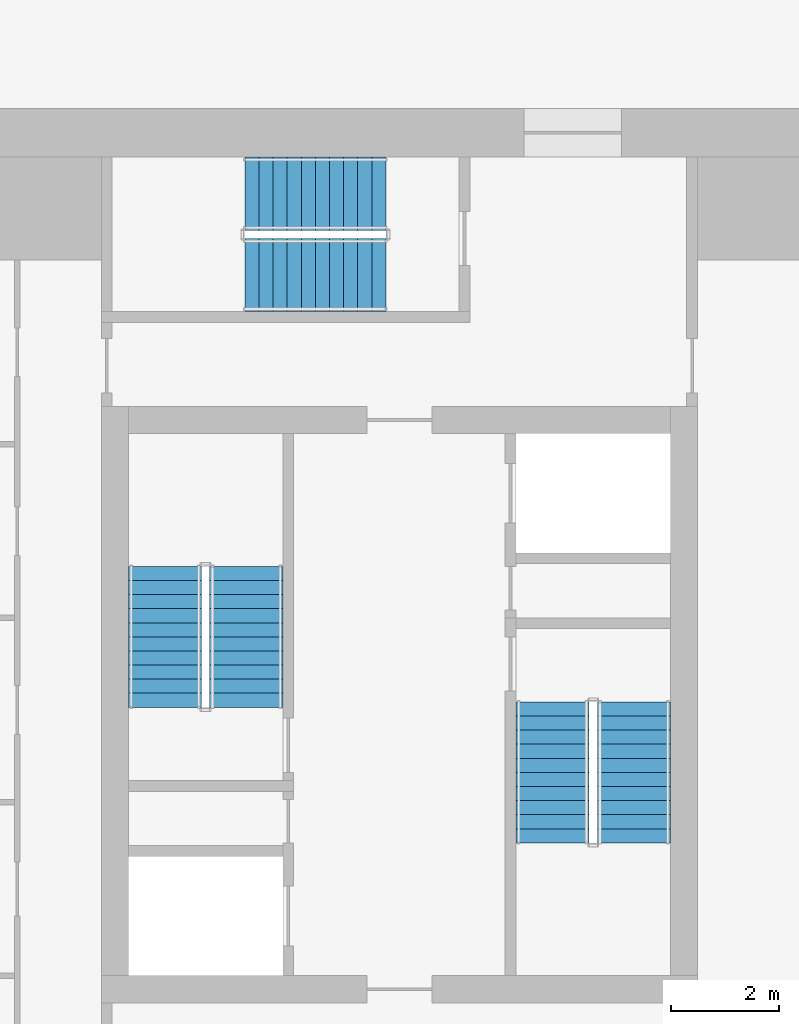
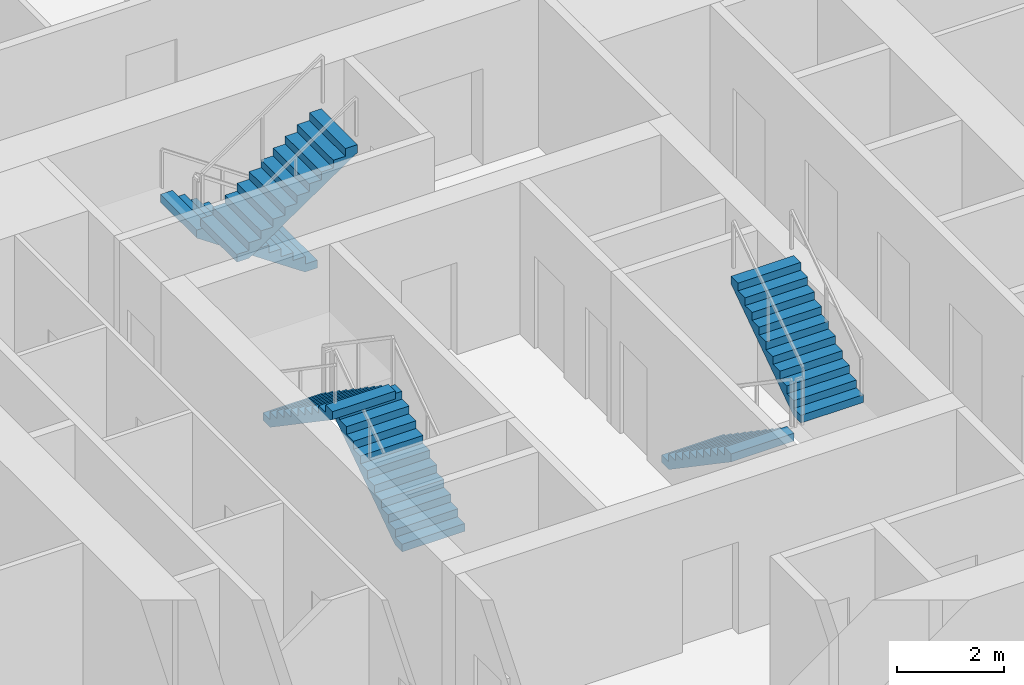
# One storey, part 10 of 15: 6 stair flights, 3 elements without a shape of their own.
"""IFC4 building model written with IfcOpenShell, lengths in metres."""

import ifcopenshell
import ifcopenshell.guid

model = None  # the IFC model being written
_history = None  # IfcOwnerHistory: only IFC2X3 demands one
_inside = {}  # id of a spatial element -> (the spatial element, [elements in it])
_under = {}  # id of a project, library or spatial element -> (it, [spatial elements below it])
_declared = {}  # id of a project -> (the project, [libraries it declares])
_typed = {}  # id of a type object -> (the type object, [elements of that type])
_made_of = {}  # id of a material, layer set ... -> (it, [elements and type objects made of it])


def new_model(schema):
    """Start an empty IFC model of exactly this schema.

    Asked for "IFC4X3", IfcOpenShell would pick the latest addendum, in which some entities
    have other attributes; the version numbers below select the first issue.
    IFC2X3 requires an IfcOwnerHistory on every rooted entity: one is made here for all.
    """
    global model, _history
    if schema == "IFC4X3":
        model = ifcopenshell.file(schema_version=(4, 3, 0, 0))
    else:
        model = ifcopenshell.file(schema=schema)
    _inside.clear()
    _under.clear()
    _declared.clear()
    _typed.clear()
    _made_of.clear()
    _history = None
    if model.schema == "IFC2X3":
        org = make("IfcOrganization", Name="unknown")
        user = make(
            "IfcPersonAndOrganization",
            ThePerson=make("IfcPerson", FamilyName="unknown"),
            TheOrganization=org,
        )
        app = make(
            "IfcApplication",
            ApplicationDeveloper=org,
            Version="unknown",
            ApplicationFullName="unknown",
            ApplicationIdentifier="unknown",
        )
        _history = make(
            "IfcOwnerHistory",
            OwningUser=user,
            OwningApplication=app,
            ChangeAction="ADDED",
            CreationDate=0,
        )
    return model


def make(cls, **values):
    """One entity of the class cls with the attributes given. An attribute that is None is left unset."""
    return model.create_entity(
        cls, **{name: value for name, value in values.items() if value is not None}
    )


def rooted(cls, **values):
    """An entity with a GlobalId (a new one), such as an element, a storey or a relation."""
    return make(cls, GlobalId=ifcopenshell.guid.new(), OwnerHistory=_history, **values)


def si_unit(unit_type, name, prefix=None):
    """IfcSIUnit, for example si_unit("LENGTHUNIT", "METRE", prefix="MILLI")."""
    return make("IfcSIUnit", UnitType=unit_type, Prefix=prefix, Name=name)


def assignment(units):
    """IfcUnitAssignment: the units of a project."""
    return None if units is None else make("IfcUnitAssignment", Units=units)


def point(xyz):
    """IfcCartesianPoint."""
    return None if xyz is None else make("IfcCartesianPoint", Coordinates=xyz)


def direction(xyz):
    """IfcDirection."""
    return None if xyz is None else make("IfcDirection", DirectionRatios=xyz)


def frame(location, z_axis=None, x_axis=None):
    """IfcAxis2Placement3D, a coordinate frame: its origin and axes. An axis left out is left unset."""
    return make(
        "IfcAxis2Placement3D",
        Location=point(location),
        Axis=direction(z_axis),
        RefDirection=direction(x_axis),
    )


def origin():
    """The frame at (0, 0, 0) with its axes left unset."""
    return frame((0.0, 0.0, 0.0))


def place(relative_to, where):
    """IfcLocalPlacement: puts the frame where relative to a parent placement (None: the world)."""
    return make(
        "IfcLocalPlacement", PlacementRelTo=relative_to, RelativePlacement=where
    )


def context(
    kind, dimensions, precision=None, world=None, true_north=None, identifier=None
):
    """IfcGeometricRepresentationContext, for example the 3D "Model" context."""
    return make(
        "IfcGeometricRepresentationContext",
        ContextIdentifier=identifier,
        ContextType=kind,
        CoordinateSpaceDimension=dimensions,
        Precision=precision,
        WorldCoordinateSystem=world,
        TrueNorth=true_north,
    )


def subcontext(parent, identifier, kind, view, scale=None):
    """IfcGeometricRepresentationSubContext, for example "Body" below "Model"."""
    return make(
        "IfcGeometricRepresentationSubContext",
        ContextIdentifier=identifier,
        ContextType=kind,
        ParentContext=parent,
        TargetScale=scale,
        TargetView=view,
    )


def project(units=None, contexts=None):
    """IfcProject with its units and contexts."""
    return rooted(
        "IfcProject",
        Name="project",
        RepresentationContexts=contexts,
        UnitsInContext=assignment(units),
    )


def spatial(cls, under=None, at=None, **own):
    """A site, building, storey or space (cls), placed at a placement, below another one or the project."""
    s = rooted(cls, ObjectPlacement=at, **own)
    if under is not None:
        _under.setdefault(under.id(), (under, []))[1].append(s)
    return s


def polyline(points):
    """IfcPolyline through the points."""
    return make("IfcPolyline", Points=[point(p) for p in points])


def outline(outer, holes=None, kind="AREA"):
    """IfcArbitraryClosedProfileDef: a profile drawn as a closed curve; with holes, ...WithVoids."""
    if holes is None:
        return make("IfcArbitraryClosedProfileDef", ProfileType=kind, OuterCurve=outer)
    return make(
        "IfcArbitraryProfileDefWithVoids",
        ProfileType=kind,
        OuterCurve=outer,
        InnerCurves=holes,
    )


def extrude(swept, where, along, depth):
    """IfcExtrudedAreaSolid: the profile swept, set in the frame where, extruded along a direction by depth."""
    return make(
        "IfcExtrudedAreaSolid",
        SweptArea=swept,
        Position=where,
        ExtrudedDirection=direction(along),
        Depth=depth,
    )


def shape(context_of_items, identifier, shape_type, items):
    """IfcShapeRepresentation: the items that make up one representation, for example the "Body"."""
    return make(
        "IfcShapeRepresentation",
        ContextOfItems=context_of_items,
        RepresentationIdentifier=identifier,
        RepresentationType=shape_type,
        Items=items,
    )


def material(Name=None, Category=None):
    """IfcMaterial."""
    return make("IfcMaterial", Name=Name, Category=Category)


def made_of(thing, what):
    """Note that an element or type object is made of a material, layer set ...; save() writes the relation."""
    if what is not None:
        _made_of.setdefault(what.id(), (what, []))[1].append(thing)
    return thing


def type_object(cls, material=None, **own):
    """A type object (cls), such as IfcWallType, which elements share."""
    return made_of(rooted(cls, **own), material)


def element(
    cls,
    number,
    at=None,
    inside=None,
    cuts=None,
    type_object=None,
    material=None,
    context=None,
    identifier="Body",
    shape_type=None,
    held_by="IfcProductDefinitionShape",
    body=None,
    shapes=None,
    **own,
):
    """One element of the class cls, such as IfcWall. Its Tag is "e" and its number.

    at: its placement. inside: the storey or other place that contains it. cuts: it is an
    opening in that element (IfcRelVoidsElement). A single representation is given by context,
    identifier, shape_type and body (its items); several are given by shapes. held_by: the class
    of the entity that holds the representations. save() writes the other relations.
    """
    e = rooted(cls, Tag="e%d" % number, ObjectPlacement=at, **own)
    if body is not None:
        shapes = [shape(context, identifier, shape_type, body)]
    if shapes is not None:
        e.Representation = make(held_by, Representations=shapes)
    if inside is not None:
        _inside.setdefault(inside.id(), (inside, []))[1].append(e)
    if cuts is not None:
        rooted(
            "IfcRelVoidsElement", RelatingBuildingElement=cuts, RelatedOpeningElement=e
        )
    if type_object is not None:
        _typed.setdefault(type_object.id(), (type_object, []))[1].append(e)
    return made_of(e, material)


def aggregate(whole, parts):
    """IfcRelAggregates: a whole, such as a stair, and the parts it consists of."""
    return rooted("IfcRelAggregates", RelatingObject=whole, RelatedObjects=parts)


def save(model, path):
    """Write the relations noted so far, then the file.

    IfcRelAggregates (storeys below a building ...), IfcRelContainedInSpatialStructure (elements
    in a storey), IfcRelDefinesByType, IfcRelAssociatesMaterial and IfcRelDeclares: one each for
    every whole, place, type object, material and project.
    """
    for whole, parts in _under.values():
        aggregate(whole, parts)
    for where, things in _inside.values():
        rooted(
            "IfcRelContainedInSpatialStructure",
            RelatedElements=things,
            RelatingStructure=where,
        )
    for kind, things in _typed.values():
        rooted("IfcRelDefinesByType", RelatedObjects=things, RelatingType=kind)
    for what, things in _made_of.values():
        rooted("IfcRelAssociatesMaterial", RelatedObjects=things, RelatingMaterial=what)
    for by, libraries in _declared.values():
        rooted("IfcRelDeclares", RelatingContext=by, RelatedDefinitions=libraries)
    model.write(path)


model = new_model("IFC4")

# Units and contexts
model_context = context("Model", 3, precision=1e-05, world=origin(), true_north=direction((0.0, 1.0)))
body_context = subcontext(model_context, "Body", "Model", "MODEL_VIEW")
ifc_project = project(units=[si_unit("LENGTHUNIT", "METRE"), si_unit("AREAUNIT", "SQUARE_METRE"), si_unit("VOLUMEUNIT", "CUBIC_METRE"), si_unit("PLANEANGLEUNIT", "RADIAN"), si_unit("MASSUNIT", "GRAM", prefix="KILO")], contexts=[model_context])

# Site, building, storey
site_placement = place(None, origin())
site = spatial("IfcSite", under=ifc_project, at=site_placement, CompositionType="ELEMENT")
building_placement = place(site_placement, origin())
building = spatial("IfcBuilding", under=site, at=building_placement, Name="Khepri Terraces", CompositionType="ELEMENT")
storey_placement = place(building_placement, frame((0.0, 0.0, 244.5)))
storey = spatial("IfcBuildingStorey", under=building, at=storey_placement, Name="L58", CompositionType="ELEMENT", Elevation=244.5)

# Stair, stair flights
ifc_material = material(Name="Concrete C40/50", Category="concrete")
stair_type = type_object("IfcStairType", Name="STAIR-RC-22R", PredefinedType="HALF_TURN_STAIR", material=ifc_material)
stair_1_placement = place(storey_placement, origin())
stair_1 = element("IfcStair", 1, at=stair_1_placement, inside=storey, type_object=stair_type, Name="L58 Exit Stair ST-1", PredefinedType="HALF_TURN_STAIR")
stair_flight_type = type_object("IfcStairFlightType", Name="SFL-RC-177.3", PredefinedType="STRAIGHT", material=ifc_material)
stair_flight_1_placement = place(storey_placement, frame((-2.824951171875, -0.050048828125, 0.0), z_axis=(0.0, 0.0, 1.0), x_axis=(0.0, 1.0, 0.0)))
stair_flight_1 = element("IfcStairFlight", 2, at=stair_flight_1_placement, type_object=stair_flight_type, Name="ST-1 flight 1", NumberOfRisers=11, NumberOfTreads=10, PredefinedType="STRAIGHT", RiserHeight=0.177272727, TreadLength=0.26, context=body_context, shape_type="SweptSolid", body=[
    extrude(outline(polyline([(0.0, 0.0), (0.0, 0.17724609375), (0.260009765625, 0.17724609375), (0.260009765625, 0.3544921875), (0.52001953125, 0.3544921875), (0.52001953125, 0.53173828125), (0.780029296875, 0.53173828125), (0.780029296875, 0.708984375), (1.0400390625, 0.708984375), (1.0400390625, 0.886474609375), (1.300048828125, 0.886474609375), (1.300048828125, 1.063720703125), (1.56005859375, 1.063720703125), (1.56005859375, 1.240966796875), (1.820068359375, 1.240966796875), (1.820068359375, 1.418212890625), (2.080078125, 1.418212890625), (2.080078125, 1.595458984375), (2.340087890625, 1.595458984375), (2.340087890625, 1.772705078125), (2.60009765625, 1.772705078125), (2.60009765625, 1.949951171875), (2.60009765625, 1.59130859375), (0.26611328125, 0.0), (0.0, 0.0)])), frame((0.0, 0.675048828125, 0.0), z_axis=(0.0, -1.0, 0.0), x_axis=(1.0, 0.0, 0.0)), (0.0, 0.0, 1.0), 1.35009765625),
])
stair_flight_2_placement = place(storey_placement, frame((-4.324951171875, 2.550048828125, 1.949951171875), z_axis=(0.0, 0.0, 1.0), x_axis=(0.0, -1.0, 0.0)))
stair_flight_2 = element("IfcStairFlight", 3, at=stair_flight_2_placement, type_object=stair_flight_type, Name="ST-1 flight 2", NumberOfRisers=11, NumberOfTreads=10, PredefinedType="STRAIGHT", RiserHeight=0.177272727, TreadLength=0.26, context=body_context, shape_type="SweptSolid", body=[
    extrude(outline(polyline([(0.0, 0.0), (0.0, 0.17724609375), (0.260009765625, 0.17724609375), (0.260009765625, 0.3544921875), (0.52001953125, 0.3544921875), (0.52001953125, 0.53173828125), (0.780029296875, 0.53173828125), (0.780029296875, 0.708984375), (1.0400390625, 0.708984375), (1.0400390625, 0.886474609375), (1.300048828125, 0.886474609375), (1.300048828125, 1.063720703125), (1.56005859375, 1.063720703125), (1.56005859375, 1.240966796875), (1.820068359375, 1.240966796875), (1.820068359375, 1.418212890625), (2.080078125, 1.418212890625), (2.080078125, 1.595458984375), (2.340087890625, 1.595458984375), (2.340087890625, 1.772705078125), (2.60009765625, 1.772705078125), (2.60009765625, 1.949951171875), (2.60009765625, 1.59130859375), (0.26611328125, 0.0), (0.0, 0.0)])), frame((0.0, 0.675048828125, 0.0), z_axis=(0.0, -1.0, 0.0), x_axis=(1.0, 0.0, 0.0)), (0.0, 0.0, 1.0), 1.35009765625),
])
aggregate(stair_1, [stair_flight_1, stair_flight_2])

stair_2_placement = place(storey_placement, origin())
stair_2 = element("IfcStair", 4, at=stair_2_placement, inside=storey, type_object=stair_type, Name="L58 Exit Stair ST-2", PredefinedType="HALF_TURN_STAIR")
stair_flight_3_placement = place(storey_placement, frame((2.824951171875, 0.050048828125, 0.0), z_axis=(0.0, 0.0, 1.0), x_axis=(0.0, -1.0, 0.0)))
stair_flight_3 = element("IfcStairFlight", 5, at=stair_flight_3_placement, type_object=stair_flight_type, Name="ST-2 flight 1", NumberOfRisers=11, NumberOfTreads=10, PredefinedType="STRAIGHT", RiserHeight=0.177272727, TreadLength=0.26, context=body_context, shape_type="SweptSolid", body=[
    extrude(outline(polyline([(0.0, 0.0), (0.0, 0.17724609375), (0.260009765625, 0.17724609375), (0.260009765625, 0.3544921875), (0.52001953125, 0.3544921875), (0.52001953125, 0.53173828125), (0.780029296875, 0.53173828125), (0.780029296875, 0.708984375), (1.0400390625, 0.708984375), (1.0400390625, 0.886474609375), (1.300048828125, 0.886474609375), (1.300048828125, 1.063720703125), (1.56005859375, 1.063720703125), (1.56005859375, 1.240966796875), (1.820068359375, 1.240966796875), (1.820068359375, 1.418212890625), (2.080078125, 1.418212890625), (2.080078125, 1.595458984375), (2.340087890625, 1.595458984375), (2.340087890625, 1.772705078125), (2.60009765625, 1.772705078125), (2.60009765625, 1.949951171875), (2.60009765625, 1.59130859375), (0.26611328125, 0.0), (0.0, 0.0)])), frame((0.0, 0.675048828125, 0.0), z_axis=(0.0, -1.0, 0.0), x_axis=(1.0, 0.0, 0.0)), (0.0, 0.0, 1.0), 1.35009765625),
])
stair_flight_4_placement = place(storey_placement, frame((4.324951171875, -2.550048828125, 1.949951171875), z_axis=(0.0, 0.0, 1.0), x_axis=(0.0, 1.0, 0.0)))
stair_flight_4 = element("IfcStairFlight", 6, at=stair_flight_4_placement, type_object=stair_flight_type, Name="ST-2 flight 2", NumberOfRisers=11, NumberOfTreads=10, PredefinedType="STRAIGHT", RiserHeight=0.177272727, TreadLength=0.26, context=body_context, shape_type="SweptSolid", body=[
    extrude(outline(polyline([(0.0, 0.0), (0.0, 0.17724609375), (0.260009765625, 0.17724609375), (0.260009765625, 0.3544921875), (0.52001953125, 0.3544921875), (0.52001953125, 0.53173828125), (0.780029296875, 0.53173828125), (0.780029296875, 0.708984375), (1.0400390625, 0.708984375), (1.0400390625, 0.886474609375), (1.300048828125, 0.886474609375), (1.300048828125, 1.063720703125), (1.56005859375, 1.063720703125), (1.56005859375, 1.240966796875), (1.820068359375, 1.240966796875), (1.820068359375, 1.418212890625), (2.080078125, 1.418212890625), (2.080078125, 1.595458984375), (2.340087890625, 1.595458984375), (2.340087890625, 1.772705078125), (2.60009765625, 1.772705078125), (2.60009765625, 1.949951171875), (2.60009765625, 1.59130859375), (0.26611328125, 0.0), (0.0, 0.0)])), frame((0.0, 0.675048828125, 0.0), z_axis=(0.0, -1.0, 0.0), x_axis=(1.0, 0.0, 0.0)), (0.0, 0.0, 1.0), 1.35009765625),
])
aggregate(stair_2, [stair_flight_3, stair_flight_4])

stair_3_placement = place(storey_placement, origin())
stair_3 = element("IfcStair", 7, at=stair_3_placement, inside=storey, type_object=stair_type, Name="L58 Exit Stair ST-3", PredefinedType="HALF_TURN_STAIR")
stair_flight_5_placement = place(storey_placement, frame((-0.25, 9.425048828125, 0.0), z_axis=(0.0, 0.0, 1.0), x_axis=(-1.0, 0.0, 0.0)))
stair_flight_5 = element("IfcStairFlight", 8, at=stair_flight_5_placement, type_object=stair_flight_type, Name="ST-3 flight 1", NumberOfRisers=11, NumberOfTreads=10, PredefinedType="STRAIGHT", RiserHeight=0.177272727, TreadLength=0.26, context=body_context, shape_type="SweptSolid", body=[
    extrude(outline(polyline([(0.0, 0.0), (0.0, 0.17724609375), (0.260009765625, 0.17724609375), (0.260009765625, 0.3544921875), (0.52001953125, 0.3544921875), (0.52001953125, 0.53173828125), (0.780029296875, 0.53173828125), (0.780029296875, 0.708984375), (1.0400390625, 0.708984375), (1.0400390625, 0.886474609375), (1.300048828125, 0.886474609375), (1.300048828125, 1.063720703125), (1.56005859375, 1.063720703125), (1.56005859375, 1.240966796875), (1.820068359375, 1.240966796875), (1.820068359375, 1.418212890625), (2.080078125, 1.418212890625), (2.080078125, 1.595458984375), (2.340087890625, 1.595458984375), (2.340087890625, 1.772705078125), (2.60009765625, 1.772705078125), (2.60009765625, 1.949951171875), (2.60009765625, 1.59130859375), (0.26611328125, 0.0), (0.0, 0.0)])), frame((0.0, 0.675048828125, 0.0), z_axis=(0.0, -1.0, 0.0), x_axis=(1.0, 0.0, 0.0)), (0.0, 0.0, 1.0), 1.35009765625),
])
stair_flight_6_placement = place(storey_placement, frame((-2.85009765625, 7.925048828125, 1.949951171875), z_axis=(0.0, 0.0, 1.0), x_axis=(1.0, 0.0, 0.0)))
stair_flight_6 = element("IfcStairFlight", 9, at=stair_flight_6_placement, type_object=stair_flight_type, Name="ST-3 flight 2", NumberOfRisers=11, NumberOfTreads=10, PredefinedType="STRAIGHT", RiserHeight=0.177272727, TreadLength=0.26, context=body_context, shape_type="SweptSolid", body=[
    extrude(outline(polyline([(0.0, 0.0), (0.0, 0.17724609375), (0.260009765625, 0.17724609375), (0.260009765625, 0.3544921875), (0.52001953125, 0.3544921875), (0.52001953125, 0.53173828125), (0.780029296875, 0.53173828125), (0.780029296875, 0.708984375), (1.0400390625, 0.708984375), (1.0400390625, 0.886474609375), (1.300048828125, 0.886474609375), (1.300048828125, 1.063720703125), (1.56005859375, 1.063720703125), (1.56005859375, 1.240966796875), (1.820068359375, 1.240966796875), (1.820068359375, 1.418212890625), (2.080078125, 1.418212890625), (2.080078125, 1.595458984375), (2.340087890625, 1.595458984375), (2.340087890625, 1.772705078125), (2.60009765625, 1.772705078125), (2.60009765625, 1.949951171875), (2.60009765625, 1.59130859375), (0.26611328125, 0.0), (0.0, 0.0)])), frame((0.0, 0.675048828125, 0.0), z_axis=(0.0, -1.0, 0.0), x_axis=(1.0, 0.0, 0.0)), (0.0, 0.0, 1.0), 1.35009765625),
])
aggregate(stair_3, [stair_flight_5, stair_flight_6])

save(model, "model.ifc")
